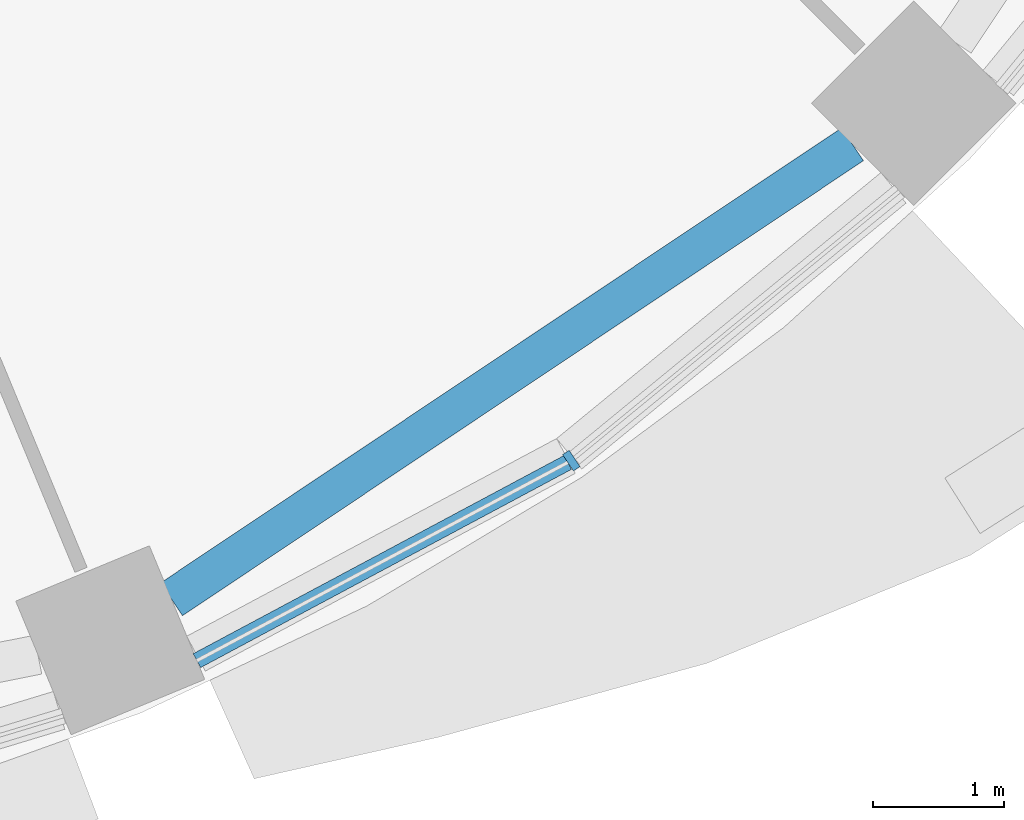
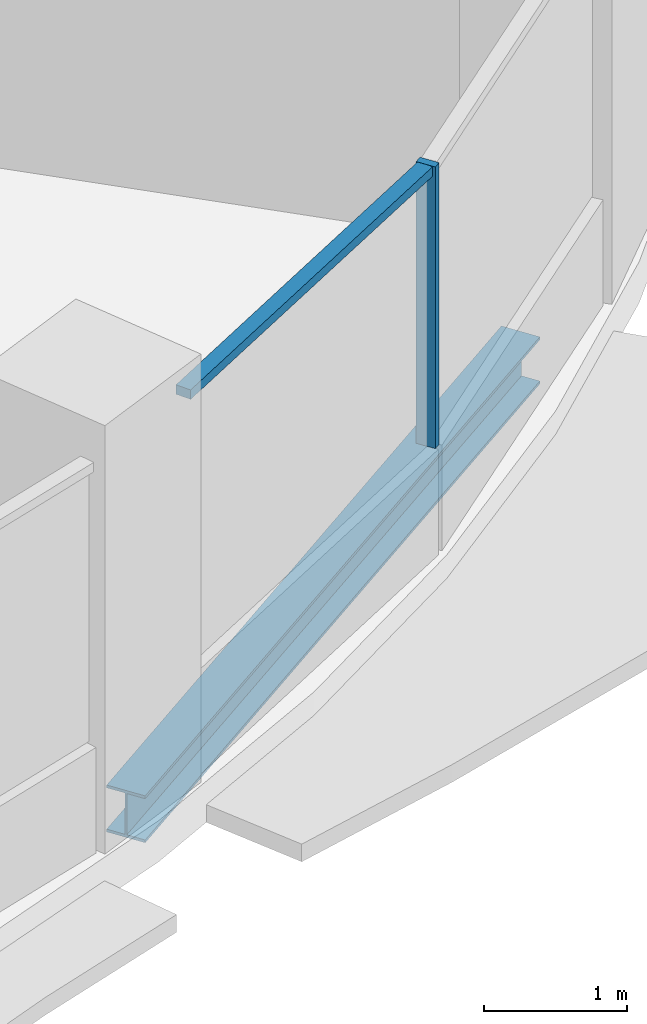
# One storey, part 3 of 15: 2 members, 1 beam, 1 element without a shape of its own.
"""IFC4 building model written with IfcOpenShell, lengths in metres."""

from ifc_helpers import new_model, si_unit, direction, frame, origin, origin_2d, place, context, subcontext, project, spatial, rectangle, i_section, extrude, material, material_profile, profile_set, type_object, element, aggregate, save


model = new_model("IFC4")

# Units and contexts
model_context = context("Model", 3, precision=1e-05, world=origin(), true_north=direction((0.0, 1.0)))
body_context = subcontext(model_context, "Body", "Model", "MODEL_VIEW")
ifc_project = project(units=[si_unit("LENGTHUNIT", "METRE"), si_unit("AREAUNIT", "SQUARE_METRE"), si_unit("VOLUMEUNIT", "CUBIC_METRE"), si_unit("PLANEANGLEUNIT", "RADIAN"), si_unit("MASSUNIT", "GRAM", prefix="KILO")], contexts=[model_context])

# Site, building, storey
site_placement = place(None, origin())
site = spatial("IfcSite", under=ifc_project, at=site_placement, CompositionType="ELEMENT")
building_placement = place(site_placement, origin())
building = spatial("IfcBuilding", under=site, at=building_placement, Name="Polderwave Tower", CompositionType="ELEMENT")
storey_placement = place(building_placement, frame((0.0, 0.0, 80.050048828125)))
storey = spatial("IfcBuildingStorey", under=building, at=storey_placement, Name="L20", CompositionType="ELEMENT", Elevation=80.050048828125)

# Curtain wall, members
ifc_material_1 = material(Name="Aluminium 6063-T6 and glass", Category="aluminium")
curtain_wall_type = type_object("IfcCurtainWallType", Name="Growing floor ribbon glazing wall", PredefinedType="NOTDEFINED", material=ifc_material_1)
curtain_wall_placement = place(storey_placement, origin())
curtain_wall = element("IfcCurtainWall", 1, at=curtain_wall_placement, inside=storey, type_object=curtain_wall_type, Name="CW2 L20 13", PredefinedType="NOTDEFINED")
ifc_material_2 = material(Name="Aluminium 6063-T6", Category="aluminium")
ifc_material_profile_1 = material_profile(ifc_material_2, rectangle(XDim=0.14990234375, YDim=0.06005859375, at=origin_2d()), Name="AL 60x150")
ifc_profile_set_1 = profile_set([ifc_material_profile_1], Name="Aluminium 6063-T6")
member_type_1 = type_object("IfcMemberType", Name="Growing floor ribbon glazing mullion 60x150", PredefinedType="MULLION", material=ifc_profile_set_1)
member_1_placement = place(storey_placement, frame((10.717041015625, -16.0390625, 0.89990234375), z_axis=(0.0, 0.0, 1.0), x_axis=(-0.555496220219, 0.831519061311, 0.0)))
member_1 = element("IfcMember", 2, at=member_1_placement, type_object=member_type_1, Name="CW2 mullion 1", PredefinedType="MULLION", context=body_context, shape_type="SweptSolid", body=[
    extrude(rectangle(XDim=0.14990234375, YDim=0.06005859375, at=origin_2d()), origin(), (0.0, 0.0, 1.0), 2.400146484375),
])
ifc_material_profile_2 = material_profile(ifc_material_2, rectangle(XDim=0.1201171875, YDim=0.080078125, at=origin_2d()), Name="AL 80x120")
ifc_profile_set_2 = profile_set([ifc_material_profile_2], Name="Aluminium 6063-T6")
member_type_2 = type_object("IfcMemberType", Name="Growing floor ribbon glazing transom 80x120", PredefinedType="USERDEFINED", material=ifc_profile_set_2)
member_2_placement = place(storey_placement, frame((7.868896484375, -17.56103515625, 3.260009765625), z_axis=(0.881932215645, 0.471376247819, 0.0), x_axis=(-0.471376247819, 0.881932215645, 0.0)))
member_2 = element("IfcMember", 3, at=member_2_placement, type_object=member_type_2, Name="CW2 transom 1", ObjectType="TRANSOM", PredefinedType="USERDEFINED", context=body_context, shape_type="SweptSolid", body=[
    extrude(rectangle(XDim=0.1201171875, YDim=0.080078125, at=origin_2d()), origin(), (0.0, 0.0, 1.0), 3.19921875),
])
aggregate(curtain_wall, [member_1, member_2])

# Beam
ifc_material_3 = material(Name="Steel S355", Category="steel")
ifc_material_profile_3 = material_profile(ifc_material_3, i_section(OverallWidth=0.300048828125, OverallDepth=0.39990234375, WebThickness=0.013427734375, FlangeThickness=0.02392578125, at=origin_2d()), Name="HE 400 B")
ifc_profile_set_3 = profile_set([ifc_material_profile_3], Name="Steel S355")
beam_type = type_object("IfcBeamType", Name="RING BEAM HE 400 B", PredefinedType="BEAM", material=ifc_profile_set_3)
beam_placement = place(storey_placement, frame((7.676025390625, -17.09423828125, -0.550048828125), z_axis=(0.831489127752, 0.555541024975, 0.0), x_axis=(-0.555541024975, 0.831489127752, 0.0)))
element("IfcBeam", 4, at=beam_placement, inside=storey, type_object=beam_type, Name="ST-RB-L20-13", PredefinedType="BEAM", context=body_context, shape_type="SweptSolid", body=[
    extrude(i_section(OverallWidth=0.300048828125, OverallDepth=0.39990234375, WebThickness=0.013427734375, FlangeThickness=0.02392578125, at=origin_2d()), origin(), (0.0, 0.0, 1.0), 6.2294921875),
])

save(model, "model.ifc")
